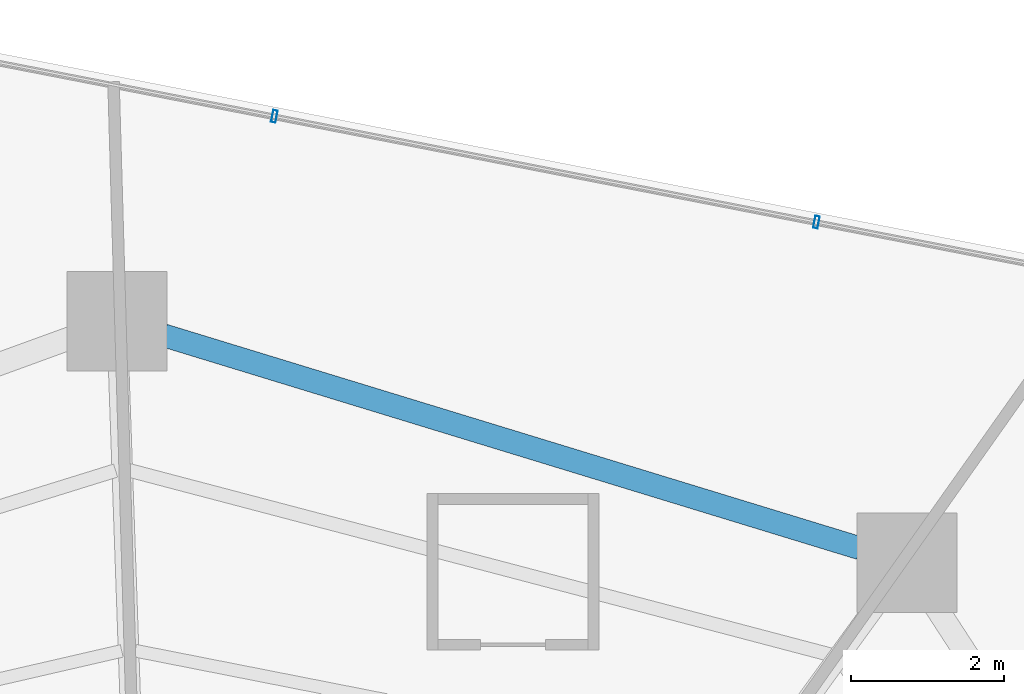
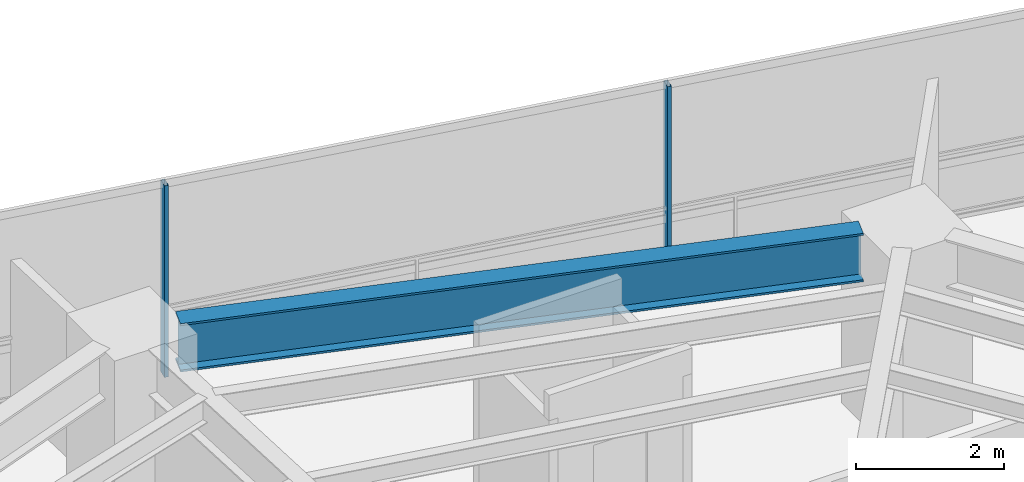
# One storey, part 22 of 33: 2 members, 1 beam, 1 element without a shape of its own.
"""IFC4 building model written with IfcOpenShell, lengths in metres."""

from ifc_helpers import new_model, si_unit, direction, frame, origin, origin_2d, place, context, subcontext, project, spatial, hollow_rectangle, i_section, extrude, material, layer, layer_set, material_profile, profile_set, type_object, element, aggregate, save


model = new_model("IFC4")

# Units and contexts
model_context = context("Model", 3, precision=1e-05, world=origin(), true_north=direction((0.0, 1.0)))
body_context = subcontext(model_context, "Body", "Model", "MODEL_VIEW")
ifc_project = project(units=[si_unit("LENGTHUNIT", "METRE"), si_unit("AREAUNIT", "SQUARE_METRE"), si_unit("VOLUMEUNIT", "CUBIC_METRE"), si_unit("PLANEANGLEUNIT", "RADIAN"), si_unit("MASSUNIT", "GRAM", prefix="KILO")], contexts=[model_context])

# Site, building, storey
site_placement = place(None, origin())
site = spatial("IfcSite", under=ifc_project, at=site_placement, CompositionType="ELEMENT")
building_placement = place(site_placement, origin())
building = spatial("IfcBuilding", under=site, at=building_placement, Name="Qarnah Convention Tower", CompositionType="ELEMENT")
storey_placement = place(building_placement, frame((0.0, 0.0, 27.0)))
storey = spatial("IfcBuildingStorey", under=building, at=storey_placement, Name="L05", CompositionType="ELEMENT", Elevation=27.0)

# Beam
ifc_material_1 = material(Name="Structural steel S355JR", Category="steel")
ifc_material_profile_1 = material_profile(ifc_material_1, i_section(OverallWidth=0.300048828125, OverallDepth=0.800048828125, WebThickness=0.01806640625, FlangeThickness=0.032958984375, at=origin_2d()), Name="HEB800")
ifc_profile_set_1 = profile_set([ifc_material_profile_1], Name="Structural steel S355JR")
beam_type = type_object("IfcBeamType", Name="BM-RING-HEB800", PredefinedType="BEAM", material=ifc_profile_set_1)
beam_placement = place(storey_placement, frame((46.31591796875, 39.97607421875, 2.77001953125), z_axis=(-0.956298871663, 0.292390950707, 0.0), x_axis=(-0.292390950707, -0.956298871663, 0.0)))
element("IfcBeam", 1, at=beam_placement, inside=storey, type_object=beam_type, Name="L05 beam BM-L05-SPN-02", PredefinedType="BEAM", context=body_context, shape_type="SweptSolid", body=[
    extrude(i_section(OverallWidth=0.300048828125, OverallDepth=0.800048828125, WebThickness=0.01806640625, FlangeThickness=0.032958984375, at=origin_2d()), origin(), (0.0, 0.0, 1.0), 9.4970703125),
])

# Curtain wall, members
ifc_material_2 = material(Name="Tempered Low-E dark glass", Category="glass")
ifc_layer = layer(ifc_material_2, 0.16796875)
ifc_layer_set = layer_set([ifc_layer], Name="Tempered Low-E dark glass")
curtain_wall_type = type_object("IfcCurtainWallType", Name="CWS-01", PredefinedType="NOTDEFINED", material=ifc_layer_set)
curtain_wall_placement = place(storey_placement, origin())
curtain_wall = element("IfcCurtainWall", 2, at=curtain_wall_placement, inside=storey, type_object=curtain_wall_type, Name="L05 unitised curtain wall CW-L05-F2", PredefinedType="NOTDEFINED")
ifc_material_3 = material(Name="Black anodised aluminium", Category="aluminium")
ifc_material_profile_2 = material_profile(ifc_material_3, hollow_rectangle(XDim=0.06005859375, YDim=0.159912109375, WallThickness=0.00390625, at=origin_2d()), Name="MUL-60X160")
ifc_profile_set_2 = profile_set([ifc_material_profile_2], Name="Black anodised aluminium")
member_type = type_object("IfcMemberType", Name="MUL-T1", PredefinedType="MULLION", material=ifc_profile_set_2)
member_1_placement = place(storey_placement, frame((38.6748046875, 45.611328125, 0.0), z_axis=(0.0, 0.0, 1.0), x_axis=(0.981495298553, -0.191486236892, 0.0)))
member_1 = element("IfcMember", 3, at=member_1_placement, type_object=member_type, Name="CW-L05-F2 mullion 3", PredefinedType="MULLION", context=body_context, shape_type="SweptSolid", body=[
    extrude(hollow_rectangle(XDim=0.06005859375, YDim=0.159912109375, WallThickness=0.00390625, at=origin_2d()), origin(), (0.0, 0.0, 1.0), 3.169921875),
])
member_2_placement = place(storey_placement, frame((45.747314453125, 44.231689453125, 0.0), z_axis=(0.0, 0.0, 1.0), x_axis=(0.981495298553, -0.191486236892, 0.0)))
member_2 = element("IfcMember", 4, at=member_2_placement, type_object=member_type, Name="CW-L05-F2 mullion 4", PredefinedType="MULLION", context=body_context, shape_type="SweptSolid", body=[
    extrude(hollow_rectangle(XDim=0.06005859375, YDim=0.159912109375, WallThickness=0.00390625, at=origin_2d()), origin(), (0.0, 0.0, 1.0), 3.169921875),
])
aggregate(curtain_wall, [member_1, member_2])

save(model, "model.ifc")
